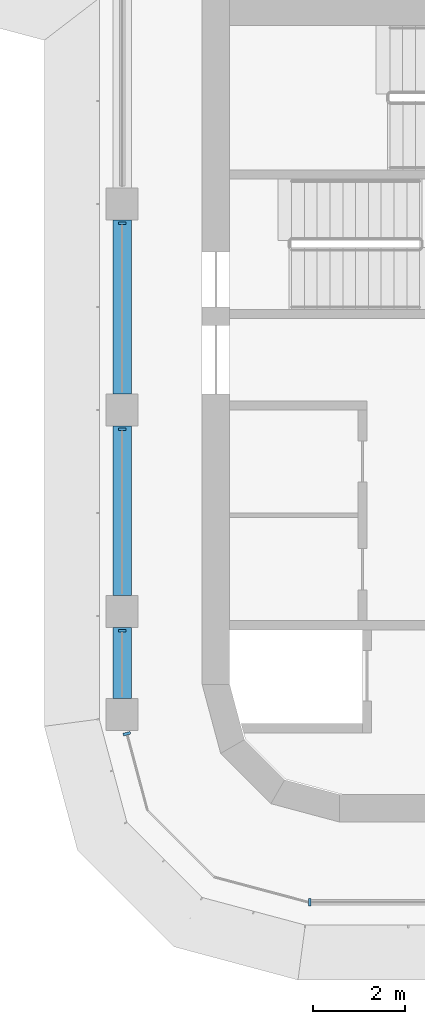
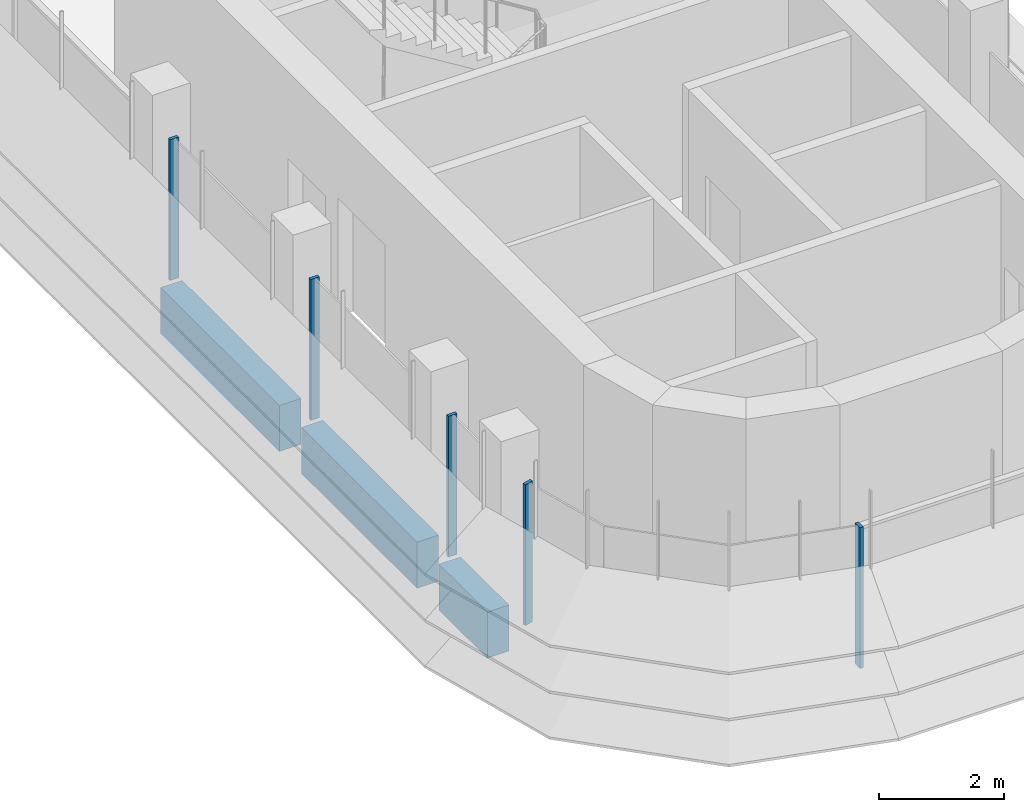
# One storey, part 2 of 19: 5 members, 3 beams, 3 elements without a shape of their own.
"""IFC4 building model written with IfcOpenShell, lengths in metres."""

from ifc_helpers import new_model, si_unit, direction, frame, origin, origin_2d, place, context, subcontext, project, spatial, polyline, rectangle, outline, extrude, source, transform, mapped, material, material_profile, profile_set, type_object, element, aggregate, save


model = new_model("IFC4")

# Units and contexts
model_context = context("Model", 3, precision=1e-05, world=origin(), true_north=direction((0.0, 1.0)))
body_context = subcontext(model_context, "Body", "Model", "MODEL_VIEW")
ifc_project = project(units=[si_unit("LENGTHUNIT", "METRE"), si_unit("AREAUNIT", "SQUARE_METRE"), si_unit("VOLUMEUNIT", "CUBIC_METRE"), si_unit("PLANEANGLEUNIT", "RADIAN"), si_unit("MASSUNIT", "GRAM", prefix="KILO")], contexts=[model_context])

# Site, building, storey
site_placement = place(None, origin())
site = spatial("IfcSite", under=ifc_project, at=site_placement, CompositionType="ELEMENT")
building_placement = place(site_placement, origin())
building = spatial("IfcBuilding", under=site, at=building_placement, Name="Zarbagh Exchange Tower", CompositionType="ELEMENT")
storey_placement = place(building_placement, frame((0.0, 0.0, 225.800048828125)))
storey = spatial("IfcBuildingStorey", under=building, at=storey_placement, Name="L55", CompositionType="ELEMENT", Elevation=225.800048828125)

# Beams
ifc_material_1 = material(Name="Concrete C50/60", Category="concrete")
ifc_material_profile = material_profile(ifc_material_1, rectangle(XDim=0.39990234375, YDim=0.89990234375, at=origin_2d()), Name="RC spandrel beam 400 x 900 C50/60")
ifc_profile_set = profile_set([ifc_material_profile], Name="Concrete C50/60")
beam_type = type_object("IfcBeamType", Name="RC spandrel beam 400 x 900 C50/60", PredefinedType="SPANDREL", material=ifc_profile_set)
beam_1_placement = place(storey_placement, frame((-6.25, -26.550048828125, -0.60009765625), z_axis=(0.0, 1.0, 0.0), x_axis=(-1.0, 0.0, 0.0)))
element("IfcBeam", 1, at=beam_1_placement, inside=storey, type_object=beam_type, Name="RC spandrel beam", PredefinedType="SPANDREL", context=body_context, shape_type="SweptSolid", body=[
    extrude(rectangle(XDim=0.39990234375, YDim=0.89990234375, at=origin_2d()), origin(), (0.0, 0.0, 1.0), 1.550048828125),
])
beam_2_placement = place(storey_placement, frame((-6.25, -24.300048828125, -0.60009765625), z_axis=(0.0, 1.0, 0.0), x_axis=(-1.0, 0.0, 0.0)))
element("IfcBeam", 2, at=beam_2_placement, inside=storey, type_object=beam_type, Name="RC spandrel beam", PredefinedType="SPANDREL", context=body_context, shape_type="SweptSolid", body=[
    extrude(rectangle(XDim=0.39990234375, YDim=0.89990234375, at=origin_2d()), origin(), (0.0, 0.0, 1.0), 3.699951171875),
])
beam_3_placement = place(storey_placement, frame((-6.25, -19.89990234375, -0.60009765625), z_axis=(0.0, 1.0, 0.0), x_axis=(-1.0, 0.0, 0.0)))
element("IfcBeam", 3, at=beam_3_placement, inside=storey, type_object=beam_type, Name="RC spandrel beam", PredefinedType="SPANDREL", context=body_context, shape_type="SweptSolid", body=[
    extrude(rectangle(XDim=0.39990234375, YDim=0.89990234375, at=origin_2d()), origin(), (0.0, 0.0, 1.0), 3.7998046875),
])

# Curtain wall, members
ifc_material_2 = material(Name="Anodised aluminium frame and glazing", Category="aluminium")
curtain_wall_type = type_object("IfcCurtainWallType", Name="CWB Ribbon glazing, upper zones", PredefinedType="NOTDEFINED", material=ifc_material_2)
curtain_wall_1_placement = place(storey_placement, origin())
curtain_wall_1 = element("IfcCurtainWall", 4, at=curtain_wall_1_placement, inside=storey, type_object=curtain_wall_type, Name="CWB53 curtain wall", PredefinedType="NOTDEFINED")
ifc_material_3 = material(Name="Anodised aluminium frame", Category="aluminium")
member_type = type_object("IfcMemberType", Name="MUB Mullion, anodised aluminium frame", PredefinedType="MULLION", material=ifc_material_3)
shared_shape = source(origin(), body_context, "Body", "SweptSolid", [
    extrude(outline(polyline([(0.0, -0.080078125), (0.06005859375, -0.080078125), (0.06005859375, 0.080078125), (0.0, 0.080078125), (0.0, -0.080078125)])), origin(), (0.0, 0.0, 1.0), 2.75),
])
placement = place(storey_placement, origin())
member_1 = element("IfcMember", 5, at=placement, type_object=member_type, Name="CWB53 mullion 2.1", PredefinedType="MULLION", context=body_context, shape_type="MappedRepresentation", body=[
    mapped(shared_shape, transform((-6.25, -16.14013671875, 0.0), x_axis=(0.0, -1.0, 0.0), y_axis=(1.0, 0.0, 0.0), z_axis=(0.0, 0.0, 1.0))),
])
member_2 = element("IfcMember", 6, at=placement, type_object=member_type, Name="CWB53 mullion 3.1", PredefinedType="MULLION", context=body_context, shape_type="MappedRepresentation", body=[
    mapped(shared_shape, transform((-6.25, -20.64013671875, 0.0), x_axis=(0.0, -1.0, 0.0), y_axis=(1.0, 0.0, 0.0), z_axis=(0.0, 0.0, 1.0))),
])
member_3 = element("IfcMember", 7, at=placement, type_object=member_type, Name="CWB53 mullion 4.1", PredefinedType="MULLION", context=body_context, shape_type="MappedRepresentation", body=[
    mapped(shared_shape, transform((-6.25, -25.0400390625, 0.0), x_axis=(0.0, -1.0, 0.0), y_axis=(1.0, 0.0, 0.0), z_axis=(0.0, 0.0, 1.0))),
])
aggregate(curtain_wall_1, [member_1, member_2, member_3])

# Curtain wall, member
curtain_wall_2_placement = place(storey_placement, origin())
curtain_wall_2 = element("IfcCurtainWall", 8, at=curtain_wall_2_placement, inside=storey, type_object=curtain_wall_type, Name="CWB54 curtain wall", PredefinedType="NOTDEFINED")
member_4 = element("IfcMember", 9, at=placement, type_object=member_type, Name="CWB54 mullion 1.1", PredefinedType="MULLION", context=body_context, shape_type="MappedRepresentation", body=[
    mapped(shared_shape, transform((-6.154541015625, -27.2900390625, 0.0), x_axis=(0.258824779902, -0.965924289636, 0.0), y_axis=(0.965924289636, 0.258824779902, 0.0), z_axis=(0.0, 0.0, 1.0))),
])
aggregate(curtain_wall_2, [member_4])

curtain_wall_3_placement = place(storey_placement, origin())
curtain_wall_3 = element("IfcCurtainWall", 10, at=curtain_wall_3_placement, inside=storey, type_object=curtain_wall_type, Name="CWB57 curtain wall", PredefinedType="NOTDEFINED")
member_5 = element("IfcMember", 11, at=placement, type_object=member_type, Name="CWB57 mullion 1.1", PredefinedType="MULLION", context=body_context, shape_type="MappedRepresentation", body=[
    mapped(shared_shape, transform((-2.18408203125, -31.0, 0.0), x_axis=(1.0, 0.0, 0.0), y_axis=(0.0, 1.0, 0.0), z_axis=(0.0, 0.0, 1.0))),
])
aggregate(curtain_wall_3, [member_5])

save(model, "model.ifc")
